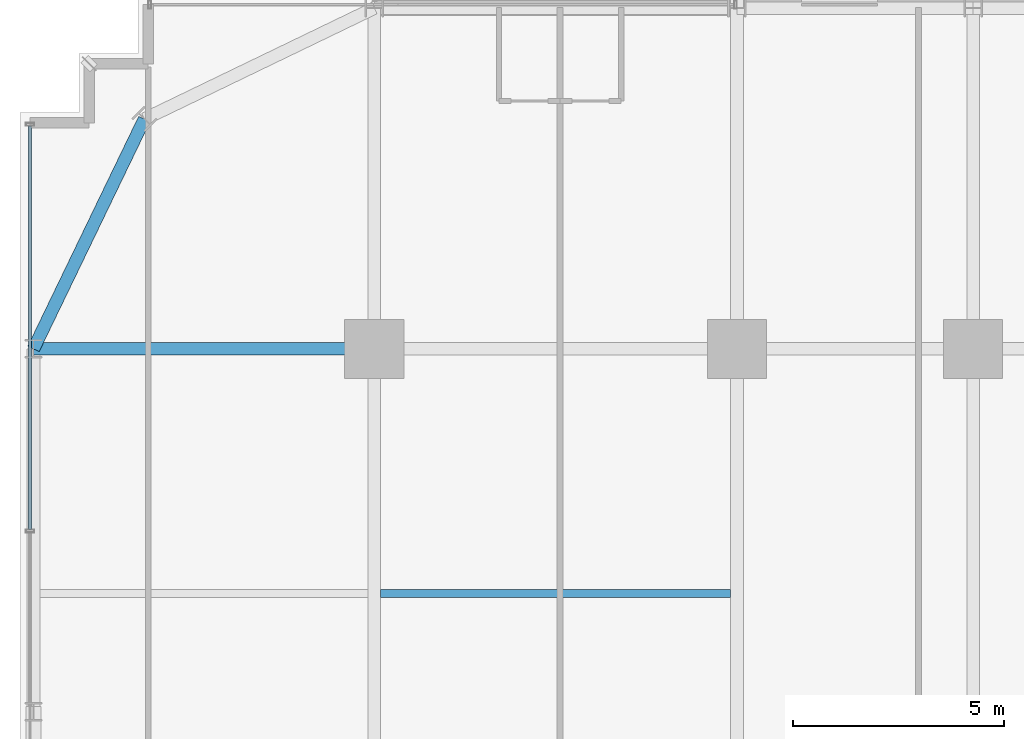
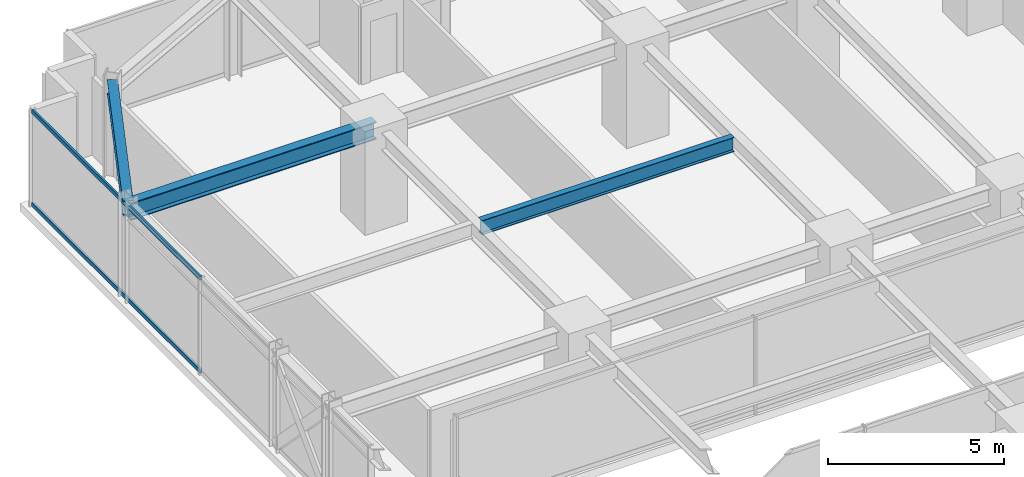
# One storey, part 25 of 47: 3 beams, 2 members, 1 element without a shape of its own.
"""IFC4 building model written with IfcOpenShell, lengths in metres."""

from ifc_helpers import new_model, si_unit, direction, frame, origin, origin_2d, place, context, subcontext, project, spatial, hollow_rectangle, i_section, extrude, source, transform, mapped, material, material_profile, profile_set, type_object, element, aggregate, save


model = new_model("IFC4")

# Units and contexts
model_context = context("Model", 3, precision=1e-05, world=origin(), true_north=direction((0.0, 1.0)))
body_context = subcontext(model_context, "Body", "Model", "MODEL_VIEW")
ifc_project = project(units=[si_unit("LENGTHUNIT", "METRE"), si_unit("AREAUNIT", "SQUARE_METRE"), si_unit("VOLUMEUNIT", "CUBIC_METRE"), si_unit("PLANEANGLEUNIT", "RADIAN"), si_unit("MASSUNIT", "GRAM", prefix="KILO")], contexts=[model_context])

# Site, building, storey
site_placement = place(None, origin())
site = spatial("IfcSite", under=ifc_project, at=site_placement, CompositionType="ELEMENT")
building_placement = place(site_placement, origin())
building = spatial("IfcBuilding", under=site, at=building_placement, Name="Nahalor Promenade Grand Hotel", CompositionType="ELEMENT")
storey_placement = place(building_placement, frame((0.0, 0.0, 68.89990234375)))
storey = spatial("IfcBuildingStorey", under=building, at=storey_placement, Name="L16", CompositionType="ELEMENT", Elevation=68.89990234375)

# Beams
ifc_material_1 = material(Name="Steel S355JR", Category="steel")
ifc_material_profile_1 = material_profile(ifc_material_1, i_section(OverallWidth=0.2, OverallDepth=0.5, WebThickness=0.0102, FlangeThickness=0.016, at=origin_2d()), Name="IPE 500")
ifc_profile_set_1 = profile_set([ifc_material_profile_1], Name="Steel S355JR")
beam_type_1 = type_object("IfcBeamType", Name="Beam-Joist-IPE500", PredefinedType="JOIST", material=ifc_profile_set_1)
shared_shape_1 = source(origin(), body_context, "Body", "SweptSolid", [
    extrude(i_section(OverallWidth=0.2, OverallDepth=0.5, WebThickness=0.0102, FlangeThickness=0.016, at=origin_2d()), origin(), (0.0, 0.0, 1.0), 8.300048828125),
])
beam_1_placement = place(storey_placement, frame((-16.85009765625, 11.199951171875, 3.1201171875), z_axis=(1.0, 0.0, 0.0), x_axis=(0.0, 1.0, 0.0)))
element("IfcBeam", 1, at=beam_1_placement, inside=storey, type_object=beam_type_1, Name="BM-L16-JSW-1-1", PredefinedType="JOIST", context=body_context, shape_type="MappedRepresentation", body=[
    mapped(shared_shape_1, transform((0.0, 0.0, 0.0), scale=1.0)),
])
ifc_material_profile_2 = material_profile(ifc_material_1, i_section(OverallWidth=0.3, OverallDepth=0.6, WebThickness=0.0155, FlangeThickness=0.03, at=origin_2d()), Name="HEB 600")
ifc_profile_set_2 = profile_set([ifc_material_profile_2], Name="Steel S355JR")
beam_type_2 = type_object("IfcBeamType", Name="Beam-Girder-HEB600", PredefinedType="BEAM", material=ifc_profile_set_2)
shared_shape_2 = source(origin(), body_context, "Body", "SweptSolid", [
    extrude(i_section(OverallWidth=0.3, OverallDepth=0.6, WebThickness=0.0155, FlangeThickness=0.03, at=origin_2d()), origin(), (0.0, 0.0, 1.0), 8.080078125),
])
beam_2_placement = place(storey_placement, frame((-25.080078125, 17.0, 3.070068359375), z_axis=(1.0, 0.0, 0.0), x_axis=(0.0, 1.0, 0.0)))
element("IfcBeam", 2, at=beam_2_placement, inside=storey, type_object=beam_type_2, Name="BM-L16-GX-3-0", PredefinedType="BEAM", context=body_context, shape_type="MappedRepresentation", body=[
    mapped(shared_shape_2, transform((0.0, 0.0, 0.0), scale=1.0)),
])
ifc_material_profile_3 = material_profile(ifc_material_1, i_section(OverallWidth=0.3, OverallDepth=0.5, WebThickness=0.0145, FlangeThickness=0.028, at=origin_2d()), Name="HEB 500")
ifc_profile_set_3 = profile_set([ifc_material_profile_3], Name="Steel S355JR")
beam_type_3 = type_object("IfcBeamType", Name="Beam-Spandrel-HEB500", PredefinedType="SPANDREL", material=ifc_profile_set_3)
shared_shape_3 = source(origin(), body_context, "Body", "SweptSolid", [
    extrude(i_section(OverallWidth=0.3, OverallDepth=0.5, WebThickness=0.0145, FlangeThickness=0.028, at=origin_2d()), origin(), (0.0, 0.0, 1.0), 6.051513671875),
])
beam_3_placement = place(storey_placement, frame((-22.449951171875, 22.449951171875, 3.1201171875), z_axis=(-0.434630596492, -0.900608818852, 0.0), x_axis=(0.900608818852, -0.434630596492, 0.0)))
element("IfcBeam", 3, at=beam_3_placement, inside=storey, type_object=beam_type_3, Name="BM-L16-SPC-NW-2", PredefinedType="SPANDREL", context=body_context, shape_type="MappedRepresentation", body=[
    mapped(shared_shape_3, transform((0.0, 0.0, 0.0), scale=1.0)),
])

# Curtain wall, members
ifc_material_2 = material(Name="Anodised Bronze Aluminium EN AW-6063 T6", Category="aluminium")
curtain_wall_type = type_object("IfcCurtainWallType", Name="CW3 Elliptical-Void Collar Unitised Curtain Wall", PredefinedType="USERDEFINED", material=ifc_material_2)
curtain_wall_placement = place(storey_placement, origin())
curtain_wall = element("IfcCurtainWall", 4, at=curtain_wall_placement, inside=storey, type_object=curtain_wall_type, Name="L16 Curtain Wall CW-L16-W-2", ObjectType="UNITISED_CURTAIN_WALL", PredefinedType="USERDEFINED")
ifc_material_profile_4 = material_profile(ifc_material_2, hollow_rectangle(XDim=0.07, YDim=0.14, WallThickness=0.004, at=origin_2d()), Name="CWT 70x140x4")
ifc_profile_set_4 = profile_set([ifc_material_profile_4], Name="Anodised Bronze Aluminium EN AW-6063 T6")
member_type = type_object("IfcMemberType", Name="CWT3 Void Collar Transom 70x140", PredefinedType="USERDEFINED", material=ifc_profile_set_4)
shared_shape_4 = source(origin(), body_context, "Body", "SweptSolid", [
    extrude(hollow_rectangle(XDim=0.07, YDim=0.14, WallThickness=0.004, at=origin_2d()), origin(), (0.0, 0.0, 1.0), 9.575439453125),
])
member_1_placement = place(storey_placement, frame((-25.159912109375, 12.714599609375, 0.070068359375), z_axis=(0.0, 1.0, 0.0), x_axis=(-1.0, 0.0, 0.0)))
member_1 = element("IfcMember", 5, at=member_1_placement, type_object=member_type, Name="CW-L16-W-2 Transom 1-0", ObjectType="TRANSOM", PredefinedType="USERDEFINED", context=body_context, shape_type="MappedRepresentation", body=[
    mapped(shared_shape_4, transform((0.0, 0.0, 0.0), scale=1.0)),
])
member_2_placement = place(storey_placement, frame((-25.159912109375, 12.714599609375, 3.300048828125), z_axis=(0.0, 1.0, 0.0), x_axis=(-1.0, 0.0, 0.0)))
member_2 = element("IfcMember", 6, at=member_2_placement, type_object=member_type, Name="CW-L16-W-2 Transom 1-1", ObjectType="TRANSOM", PredefinedType="USERDEFINED", context=body_context, shape_type="MappedRepresentation", body=[
    mapped(shared_shape_4, transform((0.0, 0.0, 0.0), scale=1.0)),
])
aggregate(curtain_wall, [member_1, member_2])

save(model, "model.ifc")
